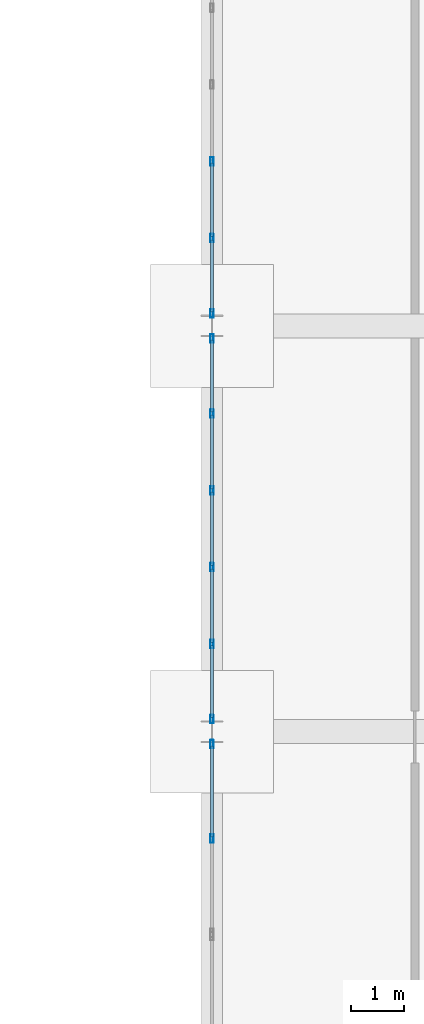
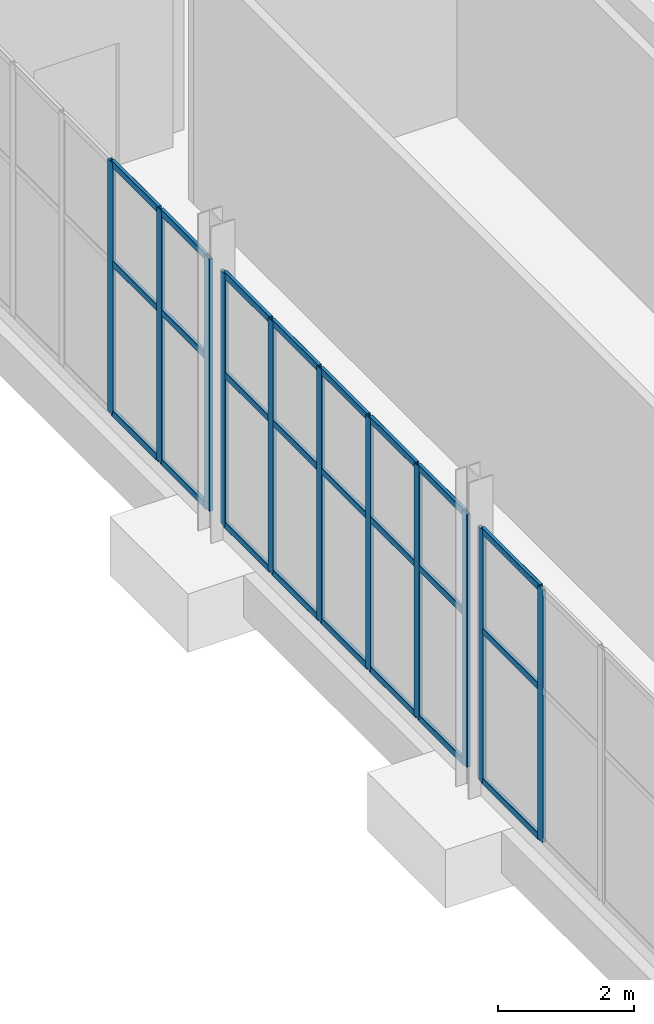
# One storey, part 50 of 95: 35 members, 3 elements without a shape of their own.
"""IFC4 building model written with IfcOpenShell, lengths in metres."""

from ifc_helpers import new_model, si_unit, direction, frame, origin, origin_2d, place, context, subcontext, project, spatial, hollow_rectangle, extrude, material, material_profile, profile_set, type_object, element, aggregate, save


model = new_model("IFC4")

# Units and contexts
model_context = context("Model", 3, precision=1e-05, world=origin(), true_north=direction((0.0, 1.0)))
body_context = subcontext(model_context, "Body", "Model", "MODEL_VIEW")
ifc_project = project(units=[si_unit("LENGTHUNIT", "METRE"), si_unit("AREAUNIT", "SQUARE_METRE"), si_unit("VOLUMEUNIT", "CUBIC_METRE"), si_unit("PLANEANGLEUNIT", "RADIAN"), si_unit("MASSUNIT", "GRAM", prefix="KILO")], contexts=[model_context])

# Site, building, storey
site_placement = place(None, origin())
site = spatial("IfcSite", under=ifc_project, at=site_placement, CompositionType="ELEMENT")
building_placement = place(site_placement, origin())
building = spatial("IfcBuilding", under=site, at=building_placement, Name="Shengluoqiao Park Theatre", CompositionType="ELEMENT")
storey_placement = place(building_placement, origin())
storey = spatial("IfcBuildingStorey", under=building, at=storey_placement, Name="L00", CompositionType="ELEMENT", Elevation=0.0)

# Curtain wall, members
ifc_material = material(Name="Aluminium 6063-T6", Category="aluminium")
curtain_wall_type = type_object("IfcCurtainWallType", Name="ENV-CW-COURT", PredefinedType="NOTDEFINED", material=ifc_material)
curtain_wall_1_placement = place(storey_placement, origin())
curtain_wall_1 = element("IfcCurtainWall", 1, at=curtain_wall_1_placement, inside=storey, type_object=curtain_wall_type, Name="L00 Curtain Wall CWX-L00-0171", PredefinedType="NOTDEFINED")
ifc_material_profile_1 = material_profile(ifc_material, hollow_rectangle(XDim=0.06005859375, YDim=0.159912109375, WallThickness=0.00390625, InnerFilletRadius=0.00390625, OuterFilletRadius=0.008056640625, at=origin_2d()), Name="ALU MULLION 160x60x4")
ifc_profile_set_1 = profile_set([ifc_material_profile_1], Name="Aluminium 6063-T6")
member_type_1 = type_object("IfcMemberType", Name="ENV-MUL-160", PredefinedType="MULLION", material=ifc_profile_set_1)
member_1_placement = place(storey_placement, frame((157.199951171875, 35.998046875, 0.0), z_axis=(0.0, 0.0, 1.0), x_axis=(-1.0, 0.0, 0.0)))
member_1 = element("IfcMember", 2, at=member_1_placement, type_object=member_type_1, Name="CW-05 mullion 2", PredefinedType="MULLION", context=body_context, shape_type="SweptSolid", body=[
    extrude(hollow_rectangle(XDim=0.06005859375, YDim=0.159912109375, WallThickness=0.00390625, InnerFilletRadius=0.00390625, OuterFilletRadius=0.008056640625, at=origin_2d()), origin(), (0.0, 0.0, 1.0), 4.550048828125),
])
member_2_placement = place(storey_placement, frame((157.199951171875, 37.76611328125, 0.0), z_axis=(0.0, 0.0, 1.0), x_axis=(-1.0, 0.0, 0.0)))
member_2 = element("IfcMember", 3, at=member_2_placement, type_object=member_type_1, Name="CW-05 mullion 3", PredefinedType="MULLION", context=body_context, shape_type="SweptSolid", body=[
    extrude(hollow_rectangle(XDim=0.06005859375, YDim=0.159912109375, WallThickness=0.00390625, InnerFilletRadius=0.00390625, OuterFilletRadius=0.008056640625, at=origin_2d()), origin(), (0.0, 0.0, 1.0), 4.550048828125),
])

curtain_wall_2_placement = place(storey_placement, origin())
curtain_wall_2 = element("IfcCurtainWall", 4, at=curtain_wall_2_placement, inside=storey, type_object=curtain_wall_type, Name="L00 Curtain Wall CWX-L00-0172", PredefinedType="NOTDEFINED")
member_3_placement = place(storey_placement, frame((157.199951171875, 38.23388671875, 0.0), z_axis=(0.0, 0.0, 1.0), x_axis=(-1.0, 0.0, 0.0)))
member_3 = element("IfcMember", 5, at=member_3_placement, type_object=member_type_1, Name="CW-05 mullion 1", PredefinedType="MULLION", context=body_context, shape_type="SweptSolid", body=[
    extrude(hollow_rectangle(XDim=0.06005859375, YDim=0.159912109375, WallThickness=0.00390625, InnerFilletRadius=0.00390625, OuterFilletRadius=0.008056640625, at=origin_2d()), origin(), (0.0, 0.0, 1.0), 4.550048828125),
])
member_4_placement = place(storey_placement, frame((157.199951171875, 39.642333984375, 0.0), z_axis=(0.0, 0.0, 1.0), x_axis=(-1.0, 0.0, 0.0)))
member_4 = element("IfcMember", 6, at=member_4_placement, type_object=member_type_1, Name="CW-05 mullion 2", PredefinedType="MULLION", context=body_context, shape_type="SweptSolid", body=[
    extrude(hollow_rectangle(XDim=0.06005859375, YDim=0.159912109375, WallThickness=0.00390625, InnerFilletRadius=0.00390625, OuterFilletRadius=0.008056640625, at=origin_2d()), origin(), (0.0, 0.0, 1.0), 4.550048828125),
])
member_5_placement = place(storey_placement, frame((157.199951171875, 41.080810546875, 0.0), z_axis=(0.0, 0.0, 1.0), x_axis=(-1.0, 0.0, 0.0)))
member_5 = element("IfcMember", 7, at=member_5_placement, type_object=member_type_1, Name="CW-05 mullion 3", PredefinedType="MULLION", context=body_context, shape_type="SweptSolid", body=[
    extrude(hollow_rectangle(XDim=0.06005859375, YDim=0.159912109375, WallThickness=0.00390625, InnerFilletRadius=0.00390625, OuterFilletRadius=0.008056640625, at=origin_2d()), origin(), (0.0, 0.0, 1.0), 4.550048828125),
])
member_6_placement = place(storey_placement, frame((157.199951171875, 42.519287109375, 0.0), z_axis=(0.0, 0.0, 1.0), x_axis=(-1.0, 0.0, 0.0)))
member_6 = element("IfcMember", 8, at=member_6_placement, type_object=member_type_1, Name="CW-05 mullion 4", PredefinedType="MULLION", context=body_context, shape_type="SweptSolid", body=[
    extrude(hollow_rectangle(XDim=0.06005859375, YDim=0.159912109375, WallThickness=0.00390625, InnerFilletRadius=0.00390625, OuterFilletRadius=0.008056640625, at=origin_2d()), origin(), (0.0, 0.0, 1.0), 4.550048828125),
])
member_7_placement = place(storey_placement, frame((157.199951171875, 43.95751953125, 0.0), z_axis=(0.0, 0.0, 1.0), x_axis=(-1.0, 0.0, 0.0)))
member_7 = element("IfcMember", 9, at=member_7_placement, type_object=member_type_1, Name="CW-05 mullion 5", PredefinedType="MULLION", context=body_context, shape_type="SweptSolid", body=[
    extrude(hollow_rectangle(XDim=0.06005859375, YDim=0.159912109375, WallThickness=0.00390625, InnerFilletRadius=0.00390625, OuterFilletRadius=0.008056640625, at=origin_2d()), origin(), (0.0, 0.0, 1.0), 4.550048828125),
])
member_8_placement = place(storey_placement, frame((157.199951171875, 45.365966796875, 0.0), z_axis=(0.0, 0.0, 1.0), x_axis=(-1.0, 0.0, 0.0)))
member_8 = element("IfcMember", 10, at=member_8_placement, type_object=member_type_1, Name="CW-05 mullion 6", PredefinedType="MULLION", context=body_context, shape_type="SweptSolid", body=[
    extrude(hollow_rectangle(XDim=0.06005859375, YDim=0.159912109375, WallThickness=0.00390625, InnerFilletRadius=0.00390625, OuterFilletRadius=0.008056640625, at=origin_2d()), origin(), (0.0, 0.0, 1.0), 4.550048828125),
])

curtain_wall_3_placement = place(storey_placement, origin())
curtain_wall_3 = element("IfcCurtainWall", 11, at=curtain_wall_3_placement, inside=storey, type_object=curtain_wall_type, Name="L00 Curtain Wall CWX-L00-0173", PredefinedType="NOTDEFINED")
member_9_placement = place(storey_placement, frame((157.199951171875, 45.833984375, 0.0), z_axis=(0.0, 0.0, 1.0), x_axis=(-1.0, 0.0, 0.0)))
member_9 = element("IfcMember", 12, at=member_9_placement, type_object=member_type_1, Name="CW-05 mullion 1", PredefinedType="MULLION", context=body_context, shape_type="SweptSolid", body=[
    extrude(hollow_rectangle(XDim=0.06005859375, YDim=0.159912109375, WallThickness=0.00390625, InnerFilletRadius=0.00390625, OuterFilletRadius=0.008056640625, at=origin_2d()), origin(), (0.0, 0.0, 1.0), 4.5419921875),
])
member_10_placement = place(storey_placement, frame((157.199951171875, 47.242431640625, 0.0), z_axis=(0.0, 0.0, 1.0), x_axis=(-1.0, 0.0, 0.0)))
member_10 = element("IfcMember", 13, at=member_10_placement, type_object=member_type_1, Name="CW-05 mullion 2", PredefinedType="MULLION", context=body_context, shape_type="SweptSolid", body=[
    extrude(hollow_rectangle(XDim=0.06005859375, YDim=0.159912109375, WallThickness=0.00390625, InnerFilletRadius=0.00390625, OuterFilletRadius=0.008056640625, at=origin_2d()), origin(), (0.0, 0.0, 1.0), 4.5419921875),
])
member_11_placement = place(storey_placement, frame((157.199951171875, 48.680908203125, 0.0), z_axis=(0.0, 0.0, 1.0), x_axis=(-1.0, 0.0, 0.0)))
member_11 = element("IfcMember", 14, at=member_11_placement, type_object=member_type_1, Name="CW-05 mullion 3", PredefinedType="MULLION", context=body_context, shape_type="SweptSolid", body=[
    extrude(hollow_rectangle(XDim=0.06005859375, YDim=0.159912109375, WallThickness=0.00390625, InnerFilletRadius=0.00390625, OuterFilletRadius=0.008056640625, at=origin_2d()), origin(), (0.0, 0.0, 1.0), 4.5419921875),
])

# Member
ifc_material_profile_2 = material_profile(ifc_material, hollow_rectangle(XDim=0.06005859375, YDim=0.1201171875, WallThickness=0.00390625, InnerFilletRadius=0.00390625, OuterFilletRadius=0.008056640625, at=origin_2d()), Name="ALU TRANSOM 120x60x4")
ifc_profile_set_2 = profile_set([ifc_material_profile_2], Name="Aluminium 6063-T6")
member_type_2 = type_object("IfcMemberType", Name="ENV-TRN-120", PredefinedType="USERDEFINED", material=ifc_profile_set_2)
member_12_placement = place(storey_placement, frame((157.199951171875, 36.028076171875, 0.030029296875), z_axis=(0.0, 1.0, 0.0), x_axis=(-1.0, 0.0, 0.0)))
member_12 = element("IfcMember", 15, at=member_12_placement, type_object=member_type_2, Name="CW-05 transom 2.1", ObjectType="TRANSOM", PredefinedType="USERDEFINED", context=body_context, shape_type="SweptSolid", body=[
    extrude(hollow_rectangle(XDim=0.06005859375, YDim=0.1201171875, WallThickness=0.00390625, InnerFilletRadius=0.00390625, OuterFilletRadius=0.008056640625, at=origin_2d()), origin(), (0.0, 0.0, 1.0), 1.7080078125),
])

member_13_placement = place(storey_placement, frame((157.199951171875, 36.028076171875, 2.72998046875), z_axis=(0.0, 1.0, 0.0), x_axis=(-1.0, 0.0, 0.0)))
member_13 = element("IfcMember", 16, at=member_13_placement, type_object=member_type_2, Name="CW-05 transom 2.2", ObjectType="TRANSOM", PredefinedType="USERDEFINED", context=body_context, shape_type="SweptSolid", body=[
    extrude(hollow_rectangle(XDim=0.06005859375, YDim=0.1201171875, WallThickness=0.00390625, InnerFilletRadius=0.00390625, OuterFilletRadius=0.008056640625, at=origin_2d()), origin(), (0.0, 0.0, 1.0), 1.7080078125),
])

member_14_placement = place(storey_placement, frame((157.199951171875, 36.028076171875, 4.52001953125), z_axis=(0.0, 1.0, 0.0), x_axis=(-1.0, 0.0, 0.0)))
member_14 = element("IfcMember", 17, at=member_14_placement, type_object=member_type_2, Name="CW-05 transom 2.3", ObjectType="TRANSOM", PredefinedType="USERDEFINED", context=body_context, shape_type="SweptSolid", body=[
    extrude(hollow_rectangle(XDim=0.06005859375, YDim=0.1201171875, WallThickness=0.00390625, InnerFilletRadius=0.00390625, OuterFilletRadius=0.008056640625, at=origin_2d()), origin(), (0.0, 0.0, 1.0), 1.7080078125),
])

aggregate(curtain_wall_1, [member_1, member_2, member_12, member_13, member_14])

member_15_placement = place(storey_placement, frame((157.199951171875, 38.263916015625, 0.030029296875), z_axis=(0.0, 1.0, 0.0), x_axis=(-1.0, 0.0, 0.0)))
member_15 = element("IfcMember", 18, at=member_15_placement, type_object=member_type_2, Name="CW-05 transom 1.1", ObjectType="TRANSOM", PredefinedType="USERDEFINED", context=body_context, shape_type="SweptSolid", body=[
    extrude(hollow_rectangle(XDim=0.06005859375, YDim=0.1201171875, WallThickness=0.00390625, InnerFilletRadius=0.00390625, OuterFilletRadius=0.008056640625, at=origin_2d()), origin(), (0.0, 0.0, 1.0), 1.348388671875),
])

member_16_placement = place(storey_placement, frame((157.199951171875, 38.263916015625, 2.72998046875), z_axis=(0.0, 1.0, 0.0), x_axis=(-1.0, 0.0, 0.0)))
member_16 = element("IfcMember", 19, at=member_16_placement, type_object=member_type_2, Name="CW-05 transom 1.2", ObjectType="TRANSOM", PredefinedType="USERDEFINED", context=body_context, shape_type="SweptSolid", body=[
    extrude(hollow_rectangle(XDim=0.06005859375, YDim=0.1201171875, WallThickness=0.00390625, InnerFilletRadius=0.00390625, OuterFilletRadius=0.008056640625, at=origin_2d()), origin(), (0.0, 0.0, 1.0), 1.348388671875),
])

member_17_placement = place(storey_placement, frame((157.199951171875, 38.263916015625, 4.52001953125), z_axis=(0.0, 1.0, 0.0), x_axis=(-1.0, 0.0, 0.0)))
member_17 = element("IfcMember", 20, at=member_17_placement, type_object=member_type_2, Name="CW-05 transom 1.3", ObjectType="TRANSOM", PredefinedType="USERDEFINED", context=body_context, shape_type="SweptSolid", body=[
    extrude(hollow_rectangle(XDim=0.06005859375, YDim=0.1201171875, WallThickness=0.00390625, InnerFilletRadius=0.00390625, OuterFilletRadius=0.008056640625, at=origin_2d()), origin(), (0.0, 0.0, 1.0), 1.348388671875),
])

member_18_placement = place(storey_placement, frame((157.199951171875, 39.67236328125, 0.030029296875), z_axis=(0.0, 1.0, 0.0), x_axis=(-1.0, 0.0, 0.0)))
member_18 = element("IfcMember", 21, at=member_18_placement, type_object=member_type_2, Name="CW-05 transom 2.1", ObjectType="TRANSOM", PredefinedType="USERDEFINED", context=body_context, shape_type="SweptSolid", body=[
    extrude(hollow_rectangle(XDim=0.06005859375, YDim=0.1201171875, WallThickness=0.00390625, InnerFilletRadius=0.00390625, OuterFilletRadius=0.008056640625, at=origin_2d()), origin(), (0.0, 0.0, 1.0), 1.37841796875),
])

member_19_placement = place(storey_placement, frame((157.199951171875, 39.67236328125, 2.72998046875), z_axis=(0.0, 1.0, 0.0), x_axis=(-1.0, 0.0, 0.0)))
member_19 = element("IfcMember", 22, at=member_19_placement, type_object=member_type_2, Name="CW-05 transom 2.2", ObjectType="TRANSOM", PredefinedType="USERDEFINED", context=body_context, shape_type="SweptSolid", body=[
    extrude(hollow_rectangle(XDim=0.06005859375, YDim=0.1201171875, WallThickness=0.00390625, InnerFilletRadius=0.00390625, OuterFilletRadius=0.008056640625, at=origin_2d()), origin(), (0.0, 0.0, 1.0), 1.37841796875),
])

member_20_placement = place(storey_placement, frame((157.199951171875, 39.67236328125, 4.52001953125), z_axis=(0.0, 1.0, 0.0), x_axis=(-1.0, 0.0, 0.0)))
member_20 = element("IfcMember", 23, at=member_20_placement, type_object=member_type_2, Name="CW-05 transom 2.3", ObjectType="TRANSOM", PredefinedType="USERDEFINED", context=body_context, shape_type="SweptSolid", body=[
    extrude(hollow_rectangle(XDim=0.06005859375, YDim=0.1201171875, WallThickness=0.00390625, InnerFilletRadius=0.00390625, OuterFilletRadius=0.008056640625, at=origin_2d()), origin(), (0.0, 0.0, 1.0), 1.37841796875),
])

member_21_placement = place(storey_placement, frame((157.199951171875, 41.11083984375, 0.030029296875), z_axis=(0.0, 1.0, 0.0), x_axis=(-1.0, 0.0, 0.0)))
member_21 = element("IfcMember", 24, at=member_21_placement, type_object=member_type_2, Name="CW-05 transom 3.1", ObjectType="TRANSOM", PredefinedType="USERDEFINED", context=body_context, shape_type="SweptSolid", body=[
    extrude(hollow_rectangle(XDim=0.06005859375, YDim=0.1201171875, WallThickness=0.00390625, InnerFilletRadius=0.00390625, OuterFilletRadius=0.008056640625, at=origin_2d()), origin(), (0.0, 0.0, 1.0), 1.37841796875),
])

member_22_placement = place(storey_placement, frame((157.199951171875, 41.11083984375, 2.72998046875), z_axis=(0.0, 1.0, 0.0), x_axis=(-1.0, 0.0, 0.0)))
member_22 = element("IfcMember", 25, at=member_22_placement, type_object=member_type_2, Name="CW-05 transom 3.2", ObjectType="TRANSOM", PredefinedType="USERDEFINED", context=body_context, shape_type="SweptSolid", body=[
    extrude(hollow_rectangle(XDim=0.06005859375, YDim=0.1201171875, WallThickness=0.00390625, InnerFilletRadius=0.00390625, OuterFilletRadius=0.008056640625, at=origin_2d()), origin(), (0.0, 0.0, 1.0), 1.37841796875),
])

member_23_placement = place(storey_placement, frame((157.199951171875, 41.11083984375, 4.52001953125), z_axis=(0.0, 1.0, 0.0), x_axis=(-1.0, 0.0, 0.0)))
member_23 = element("IfcMember", 26, at=member_23_placement, type_object=member_type_2, Name="CW-05 transom 3.3", ObjectType="TRANSOM", PredefinedType="USERDEFINED", context=body_context, shape_type="SweptSolid", body=[
    extrude(hollow_rectangle(XDim=0.06005859375, YDim=0.1201171875, WallThickness=0.00390625, InnerFilletRadius=0.00390625, OuterFilletRadius=0.008056640625, at=origin_2d()), origin(), (0.0, 0.0, 1.0), 1.37841796875),
])

member_24_placement = place(storey_placement, frame((157.199951171875, 42.54931640625, 0.030029296875), z_axis=(0.0, 1.0, 0.0), x_axis=(-1.0, 0.0, 0.0)))
member_24 = element("IfcMember", 27, at=member_24_placement, type_object=member_type_2, Name="CW-05 transom 4.1", ObjectType="TRANSOM", PredefinedType="USERDEFINED", context=body_context, shape_type="SweptSolid", body=[
    extrude(hollow_rectangle(XDim=0.06005859375, YDim=0.1201171875, WallThickness=0.00390625, InnerFilletRadius=0.00390625, OuterFilletRadius=0.008056640625, at=origin_2d()), origin(), (0.0, 0.0, 1.0), 1.378173828125),
])

member_25_placement = place(storey_placement, frame((157.199951171875, 42.54931640625, 2.72998046875), z_axis=(0.0, 1.0, 0.0), x_axis=(-1.0, 0.0, 0.0)))
member_25 = element("IfcMember", 28, at=member_25_placement, type_object=member_type_2, Name="CW-05 transom 4.2", ObjectType="TRANSOM", PredefinedType="USERDEFINED", context=body_context, shape_type="SweptSolid", body=[
    extrude(hollow_rectangle(XDim=0.06005859375, YDim=0.1201171875, WallThickness=0.00390625, InnerFilletRadius=0.00390625, OuterFilletRadius=0.008056640625, at=origin_2d()), origin(), (0.0, 0.0, 1.0), 1.378173828125),
])

member_26_placement = place(storey_placement, frame((157.199951171875, 42.54931640625, 4.52001953125), z_axis=(0.0, 1.0, 0.0), x_axis=(-1.0, 0.0, 0.0)))
member_26 = element("IfcMember", 29, at=member_26_placement, type_object=member_type_2, Name="CW-05 transom 4.3", ObjectType="TRANSOM", PredefinedType="USERDEFINED", context=body_context, shape_type="SweptSolid", body=[
    extrude(hollow_rectangle(XDim=0.06005859375, YDim=0.1201171875, WallThickness=0.00390625, InnerFilletRadius=0.00390625, OuterFilletRadius=0.008056640625, at=origin_2d()), origin(), (0.0, 0.0, 1.0), 1.378173828125),
])

member_27_placement = place(storey_placement, frame((157.199951171875, 43.987548828125, 0.030029296875), z_axis=(0.0, 1.0, 0.0), x_axis=(-1.0, 0.0, 0.0)))
member_27 = element("IfcMember", 30, at=member_27_placement, type_object=member_type_2, Name="CW-05 transom 5.1", ObjectType="TRANSOM", PredefinedType="USERDEFINED", context=body_context, shape_type="SweptSolid", body=[
    extrude(hollow_rectangle(XDim=0.06005859375, YDim=0.1201171875, WallThickness=0.00390625, InnerFilletRadius=0.00390625, OuterFilletRadius=0.008056640625, at=origin_2d()), origin(), (0.0, 0.0, 1.0), 1.348388671875),
])

member_28_placement = place(storey_placement, frame((157.199951171875, 43.987548828125, 2.72998046875), z_axis=(0.0, 1.0, 0.0), x_axis=(-1.0, 0.0, 0.0)))
member_28 = element("IfcMember", 31, at=member_28_placement, type_object=member_type_2, Name="CW-05 transom 5.2", ObjectType="TRANSOM", PredefinedType="USERDEFINED", context=body_context, shape_type="SweptSolid", body=[
    extrude(hollow_rectangle(XDim=0.06005859375, YDim=0.1201171875, WallThickness=0.00390625, InnerFilletRadius=0.00390625, OuterFilletRadius=0.008056640625, at=origin_2d()), origin(), (0.0, 0.0, 1.0), 1.348388671875),
])

member_29_placement = place(storey_placement, frame((157.199951171875, 43.987548828125, 4.52001953125), z_axis=(0.0, 1.0, 0.0), x_axis=(-1.0, 0.0, 0.0)))
member_29 = element("IfcMember", 32, at=member_29_placement, type_object=member_type_2, Name="CW-05 transom 5.3", ObjectType="TRANSOM", PredefinedType="USERDEFINED", context=body_context, shape_type="SweptSolid", body=[
    extrude(hollow_rectangle(XDim=0.06005859375, YDim=0.1201171875, WallThickness=0.00390625, InnerFilletRadius=0.00390625, OuterFilletRadius=0.008056640625, at=origin_2d()), origin(), (0.0, 0.0, 1.0), 1.348388671875),
])

aggregate(curtain_wall_2, [member_3, member_4, member_5, member_6, member_7, member_8, member_15, member_16, member_17, member_18, member_19, member_20, member_21, member_22, member_23, member_24, member_25, member_26, member_27, member_28, member_29])

member_30_placement = place(storey_placement, frame((157.199951171875, 45.864013671875, 0.030029296875), z_axis=(0.0, 1.0, 0.0), x_axis=(-1.0, 0.0, 0.0)))
member_30 = element("IfcMember", 33, at=member_30_placement, type_object=member_type_2, Name="CW-05 transom 1.1", ObjectType="TRANSOM", PredefinedType="USERDEFINED", context=body_context, shape_type="SweptSolid", body=[
    extrude(hollow_rectangle(XDim=0.06005859375, YDim=0.1201171875, WallThickness=0.00390625, InnerFilletRadius=0.00390625, OuterFilletRadius=0.008056640625, at=origin_2d()), origin(), (0.0, 0.0, 1.0), 1.348388671875),
])

member_31_placement = place(storey_placement, frame((157.199951171875, 45.864013671875, 2.72509765625), z_axis=(0.0, 1.0, 0.0), x_axis=(-1.0, 0.0, 0.0)))
member_31 = element("IfcMember", 34, at=member_31_placement, type_object=member_type_2, Name="CW-05 transom 1.2", ObjectType="TRANSOM", PredefinedType="USERDEFINED", context=body_context, shape_type="SweptSolid", body=[
    extrude(hollow_rectangle(XDim=0.06005859375, YDim=0.1201171875, WallThickness=0.00390625, InnerFilletRadius=0.00390625, OuterFilletRadius=0.008056640625, at=origin_2d()), origin(), (0.0, 0.0, 1.0), 1.348388671875),
])

member_32_placement = place(storey_placement, frame((157.199951171875, 45.864013671875, 4.511962890625), z_axis=(0.0, 1.0, 0.0), x_axis=(-1.0, 0.0, 0.0)))
member_32 = element("IfcMember", 35, at=member_32_placement, type_object=member_type_2, Name="CW-05 transom 1.3", ObjectType="TRANSOM", PredefinedType="USERDEFINED", context=body_context, shape_type="SweptSolid", body=[
    extrude(hollow_rectangle(XDim=0.06005859375, YDim=0.1201171875, WallThickness=0.00390625, InnerFilletRadius=0.00390625, OuterFilletRadius=0.008056640625, at=origin_2d()), origin(), (0.0, 0.0, 1.0), 1.348388671875),
])

member_33_placement = place(storey_placement, frame((157.199951171875, 47.2724609375, 0.030029296875), z_axis=(0.0, 1.0, 0.0), x_axis=(-1.0, 0.0, 0.0)))
member_33 = element("IfcMember", 36, at=member_33_placement, type_object=member_type_2, Name="CW-05 transom 2.1", ObjectType="TRANSOM", PredefinedType="USERDEFINED", context=body_context, shape_type="SweptSolid", body=[
    extrude(hollow_rectangle(XDim=0.06005859375, YDim=0.1201171875, WallThickness=0.00390625, InnerFilletRadius=0.00390625, OuterFilletRadius=0.008056640625, at=origin_2d()), origin(), (0.0, 0.0, 1.0), 1.37841796875),
])

member_34_placement = place(storey_placement, frame((157.199951171875, 47.2724609375, 2.72509765625), z_axis=(0.0, 1.0, 0.0), x_axis=(-1.0, 0.0, 0.0)))
member_34 = element("IfcMember", 37, at=member_34_placement, type_object=member_type_2, Name="CW-05 transom 2.2", ObjectType="TRANSOM", PredefinedType="USERDEFINED", context=body_context, shape_type="SweptSolid", body=[
    extrude(hollow_rectangle(XDim=0.06005859375, YDim=0.1201171875, WallThickness=0.00390625, InnerFilletRadius=0.00390625, OuterFilletRadius=0.008056640625, at=origin_2d()), origin(), (0.0, 0.0, 1.0), 1.37841796875),
])

member_35_placement = place(storey_placement, frame((157.199951171875, 47.2724609375, 4.511962890625), z_axis=(0.0, 1.0, 0.0), x_axis=(-1.0, 0.0, 0.0)))
member_35 = element("IfcMember", 38, at=member_35_placement, type_object=member_type_2, Name="CW-05 transom 2.3", ObjectType="TRANSOM", PredefinedType="USERDEFINED", context=body_context, shape_type="SweptSolid", body=[
    extrude(hollow_rectangle(XDim=0.06005859375, YDim=0.1201171875, WallThickness=0.00390625, InnerFilletRadius=0.00390625, OuterFilletRadius=0.008056640625, at=origin_2d()), origin(), (0.0, 0.0, 1.0), 1.37841796875),
])

aggregate(curtain_wall_3, [member_9, member_10, member_11, member_30, member_31, member_32, member_33, member_34, member_35])

save(model, "model.ifc")
